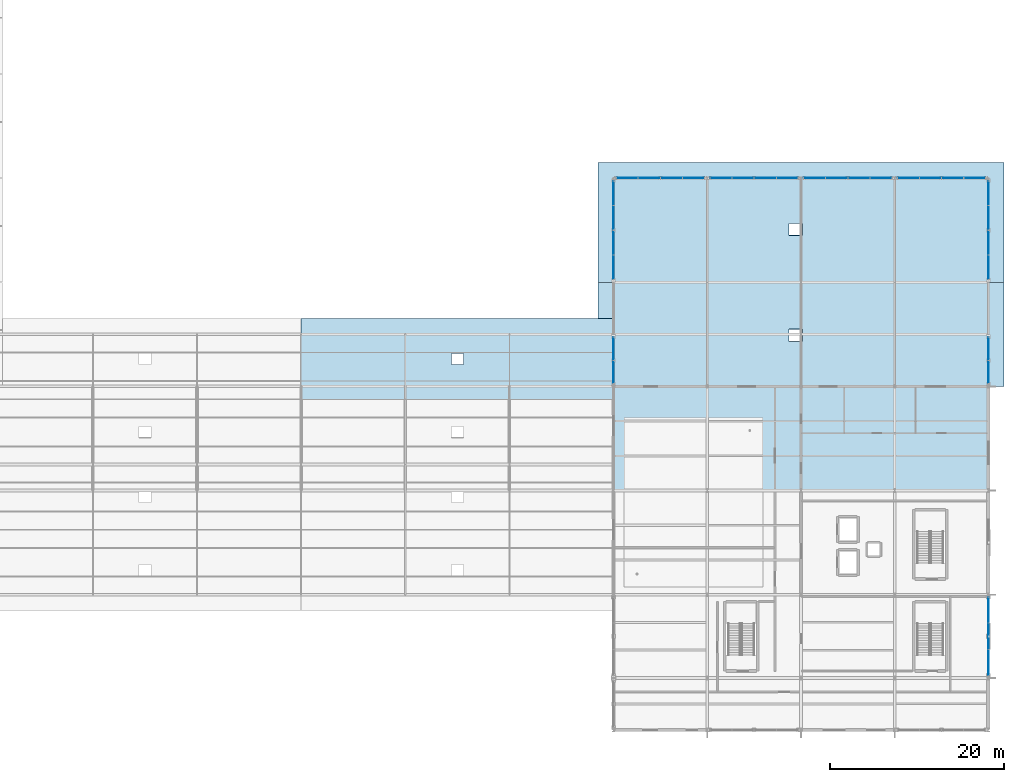
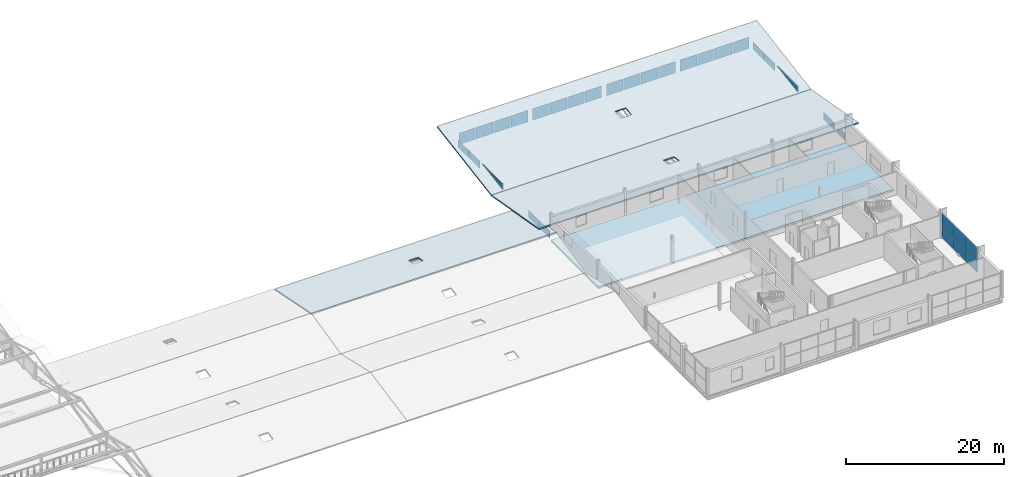
# One storey, part 96 of 117: 34 plates, 4 slabs, 9 elements without a shape of their own.
"""IFC4 building model written with IfcOpenShell, lengths in metres."""

from ifc_helpers import new_model, si_unit, direction, frame, origin, origin_2d, place, context, subcontext, project, spatial, polyline, rectangle, outline, extrude, material, layer, layer_set, type_object, element, aggregate, save


model = new_model("IFC4")

# Units and contexts
model_context = context("Model", 3, precision=1e-05, world=origin(), true_north=direction((0.0, 1.0)))
body_context = subcontext(model_context, "Body", "Model", "MODEL_VIEW")
ifc_project = project(units=[si_unit("LENGTHUNIT", "METRE"), si_unit("AREAUNIT", "SQUARE_METRE"), si_unit("VOLUMEUNIT", "CUBIC_METRE"), si_unit("PLANEANGLEUNIT", "RADIAN"), si_unit("MASSUNIT", "GRAM", prefix="KILO")], contexts=[model_context])

# Site, building, storey
site_placement = place(None, origin())
site = spatial("IfcSite", under=ifc_project, at=site_placement, CompositionType="ELEMENT")
building_placement = place(site_placement, origin())
building = spatial("IfcBuilding", under=site, at=building_placement, Name="Merenkruunu Market Hall", CompositionType="ELEMENT")
storey_placement = place(building_placement, frame((0.0, 0.0, 10.199951171875)))
storey = spatial("IfcBuildingStorey", under=building, at=storey_placement, Name="L02", CompositionType="ELEMENT", Elevation=10.199951171875)

# Curtain wall, plates
ifc_material_1 = material(Name="Powder-coated aluminium", Category="aluminium")
curtain_wall_type_1 = type_object("IfcCurtainWallType", Name="Glazed Curtain Wall CW07", PredefinedType="USERDEFINED", material=ifc_material_1)
curtain_wall_1_placement = place(storey_placement, origin())
curtain_wall_1 = element("IfcCurtainWall", 1, at=curtain_wall_1_placement, inside=storey, type_object=curtain_wall_type_1, Name="CW-L02-CWM03-217", ObjectType="GLAZED_FACADE", PredefinedType="USERDEFINED")
ifc_material_2 = material(Name="Powder-coated aluminium spandrel panel", Category="aluminium")
ifc_layer_1 = layer(ifc_material_2, 0.0419921875)
ifc_layer_set_1 = layer_set([ifc_layer_1], Name="Powder-coated aluminium spandrel panel")
plate_type_1 = type_object("IfcPlateType", Name="Curtain Wall Glazing Panel CWP06", PredefinedType="CURTAIN_PANEL", material=ifc_layer_set_1)
plate_1_placement = place(storey_placement, frame((192.0, 13.79833984375, 0.06005859375), z_axis=(0.0, 0.0, 1.0), x_axis=(0.0, -1.0, 0.0)))
plate_1 = element("IfcPlate", 2, at=plate_1_placement, type_object=plate_type_1, Name="CW07 panel 1.1", PredefinedType="CURTAIN_PANEL", context=body_context, shape_type="SweptSolid", body=[
    extrude(rectangle(XDim=2.92333984375, YDim=0.0419921875, at=origin_2d()), origin(), (0.0, 0.0, 1.0), 1.85009765625),
])
plate_2_placement = place(storey_placement, frame((192.0, 13.79833984375, 1.969970703125), z_axis=(0.0, 0.0, 1.0), x_axis=(0.0, -1.0, 0.0)))
plate_2 = element("IfcPlate", 3, at=plate_2_placement, type_object=plate_type_1, Name="CW07 panel 1.2", PredefinedType="CURTAIN_PANEL", context=body_context, shape_type="SweptSolid", body=[
    extrude(rectangle(XDim=2.92333984375, YDim=0.0419921875, at=origin_2d()), origin(), (0.0, 0.0, 1.0), 1.85009765625),
])
plate_3_placement = place(storey_placement, frame((192.0, 10.800048828125, 0.06005859375), z_axis=(0.0, 0.0, 1.0), x_axis=(0.0, -1.0, 0.0)))
plate_3 = element("IfcPlate", 4, at=plate_3_placement, type_object=plate_type_1, Name="CW07 panel 2.1", PredefinedType="CURTAIN_PANEL", context=body_context, shape_type="SweptSolid", body=[
    extrude(rectangle(XDim=2.953369140625, YDim=0.0419921875, at=origin_2d()), origin(), (0.0, 0.0, 1.0), 1.85009765625),
])
plate_4_placement = place(storey_placement, frame((192.0, 10.800048828125, 1.969970703125), z_axis=(0.0, 0.0, 1.0), x_axis=(0.0, -1.0, 0.0)))
plate_4 = element("IfcPlate", 5, at=plate_4_placement, type_object=plate_type_1, Name="CW07 panel 2.2", PredefinedType="CURTAIN_PANEL", context=body_context, shape_type="SweptSolid", body=[
    extrude(rectangle(XDim=2.953369140625, YDim=0.0419921875, at=origin_2d()), origin(), (0.0, 0.0, 1.0), 1.85009765625),
])
plate_5_placement = place(storey_placement, frame((192.0, 7.8017578125, 0.06005859375), z_axis=(0.0, 0.0, 1.0), x_axis=(0.0, -1.0, 0.0)))
plate_5 = element("IfcPlate", 6, at=plate_5_placement, type_object=plate_type_1, Name="CW07 panel 3.1", PredefinedType="CURTAIN_PANEL", context=body_context, shape_type="SweptSolid", body=[
    extrude(rectangle(XDim=2.92333984375, YDim=0.0419921875, at=origin_2d()), origin(), (0.0, 0.0, 1.0), 1.85009765625),
])
plate_6_placement = place(storey_placement, frame((192.0, 7.8017578125, 1.969970703125), z_axis=(0.0, 0.0, 1.0), x_axis=(0.0, -1.0, 0.0)))
plate_6 = element("IfcPlate", 7, at=plate_6_placement, type_object=plate_type_1, Name="CW07 panel 3.2", PredefinedType="CURTAIN_PANEL", context=body_context, shape_type="SweptSolid", body=[
    extrude(rectangle(XDim=2.92333984375, YDim=0.0419921875, at=origin_2d()), origin(), (0.0, 0.0, 1.0), 1.85009765625),
])
aggregate(curtain_wall_1, [plate_1, plate_2, plate_3, plate_4, plate_5, plate_6])

curtain_wall_type_2 = type_object("IfcCurtainWallType", Name="Clerestory Curtain Band CL01", PredefinedType="USERDEFINED", material=ifc_material_1)
curtain_wall_2_placement = place(storey_placement, origin())
curtain_wall_2 = element("IfcCurtainWall", 8, at=curtain_wall_2_placement, inside=storey, type_object=curtain_wall_type_2, Name="CW-L02-CWM04-228", ObjectType="CLERESTORY_BAND", PredefinedType="USERDEFINED")
ifc_material_3 = material(Name="Triple low-E insulated glass", Category="glass")
ifc_layer_2 = layer(ifc_material_3, 0.035888671875)
ifc_layer_set_2 = layer_set([ifc_layer_2], Name="Triple low-E insulated glass")
plate_type_2 = type_object("IfcPlateType", Name="Curtain Wall Glazing Panel CWP07", PredefinedType="CURTAIN_PANEL", material=ifc_layer_set_2)
plate_7_placement = place(storey_placement, frame((150.37744140625, 63.60009765625, 0.080078125), z_axis=(0.0, 0.0, 1.0), x_axis=(1.0, 0.0, 0.0)))
plate_7 = element("IfcPlate", 9, at=plate_7_placement, type_object=plate_type_2, Name="CL01 panel 1.1", PredefinedType="CURTAIN_PANEL", context=body_context, shape_type="SweptSolid", body=[
    extrude(rectangle(XDim=2.455078125, YDim=0.035888671875, at=origin_2d()), origin(), (0.0, 0.0, 1.0), 1.780029296875),
])
plate_8_placement = place(storey_placement, frame((152.919921875, 63.60009765625, 0.080078125), z_axis=(0.0, 0.0, 1.0), x_axis=(1.0, 0.0, 0.0)))
plate_8 = element("IfcPlate", 10, at=plate_8_placement, type_object=plate_type_2, Name="CL01 panel 2.1", PredefinedType="CURTAIN_PANEL", context=body_context, shape_type="SweptSolid", body=[
    extrude(rectangle(XDim=2.489990234375, YDim=0.035888671875, at=origin_2d()), origin(), (0.0, 0.0, 1.0), 1.780029296875),
])
plate_9_placement = place(storey_placement, frame((155.47998046875, 63.60009765625, 0.080078125), z_axis=(0.0, 0.0, 1.0), x_axis=(1.0, 0.0, 0.0)))
plate_9 = element("IfcPlate", 11, at=plate_9_placement, type_object=plate_type_2, Name="CL01 panel 3.1", PredefinedType="CURTAIN_PANEL", context=body_context, shape_type="SweptSolid", body=[
    extrude(rectangle(XDim=2.489990234375, YDim=0.035888671875, at=origin_2d()), origin(), (0.0, 0.0, 1.0), 1.780029296875),
])
plate_10_placement = place(storey_placement, frame((158.0224609375, 63.60009765625, 0.080078125), z_axis=(0.0, 0.0, 1.0), x_axis=(1.0, 0.0, 0.0)))
plate_10 = element("IfcPlate", 12, at=plate_10_placement, type_object=plate_type_2, Name="CL01 panel 4.1", PredefinedType="CURTAIN_PANEL", context=body_context, shape_type="SweptSolid", body=[
    extrude(rectangle(XDim=2.455078125, YDim=0.035888671875, at=origin_2d()), origin(), (0.0, 0.0, 1.0), 1.780029296875),
])
aggregate(curtain_wall_2, [plate_7, plate_8, plate_9, plate_10])

curtain_wall_3_placement = place(storey_placement, origin())
curtain_wall_3 = element("IfcCurtainWall", 13, at=curtain_wall_3_placement, inside=storey, type_object=curtain_wall_type_2, Name="CW-L02-CWM04-229", ObjectType="CLERESTORY_BAND", PredefinedType="USERDEFINED")
plate_11_placement = place(storey_placement, frame((161.177490234375, 63.60009765625, 0.080078125), z_axis=(0.0, 0.0, 1.0), x_axis=(1.0, 0.0, 0.0)))
plate_11 = element("IfcPlate", 14, at=plate_11_placement, type_object=plate_type_2, Name="CL01 panel 1.1", PredefinedType="CURTAIN_PANEL", context=body_context, shape_type="SweptSolid", body=[
    extrude(rectangle(XDim=2.455078125, YDim=0.035888671875, at=origin_2d()), origin(), (0.0, 0.0, 1.0), 1.780029296875),
])
plate_12_placement = place(storey_placement, frame((163.719970703125, 63.60009765625, 0.080078125), z_axis=(0.0, 0.0, 1.0), x_axis=(1.0, 0.0, 0.0)))
plate_12 = element("IfcPlate", 15, at=plate_12_placement, type_object=plate_type_2, Name="CL01 panel 2.1", PredefinedType="CURTAIN_PANEL", context=body_context, shape_type="SweptSolid", body=[
    extrude(rectangle(XDim=2.489990234375, YDim=0.035888671875, at=origin_2d()), origin(), (0.0, 0.0, 1.0), 1.780029296875),
])
plate_13_placement = place(storey_placement, frame((166.280029296875, 63.60009765625, 0.080078125), z_axis=(0.0, 0.0, 1.0), x_axis=(1.0, 0.0, 0.0)))
plate_13 = element("IfcPlate", 16, at=plate_13_placement, type_object=plate_type_2, Name="CL01 panel 3.1", PredefinedType="CURTAIN_PANEL", context=body_context, shape_type="SweptSolid", body=[
    extrude(rectangle(XDim=2.489990234375, YDim=0.035888671875, at=origin_2d()), origin(), (0.0, 0.0, 1.0), 1.780029296875),
])
plate_14_placement = place(storey_placement, frame((168.822509765625, 63.60009765625, 0.080078125), z_axis=(0.0, 0.0, 1.0), x_axis=(1.0, 0.0, 0.0)))
plate_14 = element("IfcPlate", 17, at=plate_14_placement, type_object=plate_type_2, Name="CL01 panel 4.1", PredefinedType="CURTAIN_PANEL", context=body_context, shape_type="SweptSolid", body=[
    extrude(rectangle(XDim=2.455078125, YDim=0.035888671875, at=origin_2d()), origin(), (0.0, 0.0, 1.0), 1.780029296875),
])
aggregate(curtain_wall_3, [plate_11, plate_12, plate_13, plate_14])

curtain_wall_4_placement = place(storey_placement, origin())
curtain_wall_4 = element("IfcCurtainWall", 18, at=curtain_wall_4_placement, inside=storey, type_object=curtain_wall_type_2, Name="CW-L02-CWM04-230", ObjectType="CLERESTORY_BAND", PredefinedType="USERDEFINED")
plate_15_placement = place(storey_placement, frame((171.9775390625, 63.60009765625, 0.080078125), z_axis=(0.0, 0.0, 1.0), x_axis=(1.0, 0.0, 0.0)))
plate_15 = element("IfcPlate", 19, at=plate_15_placement, type_object=plate_type_2, Name="CL01 panel 1.1", PredefinedType="CURTAIN_PANEL", context=body_context, shape_type="SweptSolid", body=[
    extrude(rectangle(XDim=2.455078125, YDim=0.035888671875, at=origin_2d()), origin(), (0.0, 0.0, 1.0), 1.780029296875),
])
plate_16_placement = place(storey_placement, frame((174.52001953125, 63.60009765625, 0.080078125), z_axis=(0.0, 0.0, 1.0), x_axis=(1.0, 0.0, 0.0)))
plate_16 = element("IfcPlate", 20, at=plate_16_placement, type_object=plate_type_2, Name="CL01 panel 2.1", PredefinedType="CURTAIN_PANEL", context=body_context, shape_type="SweptSolid", body=[
    extrude(rectangle(XDim=2.489990234375, YDim=0.035888671875, at=origin_2d()), origin(), (0.0, 0.0, 1.0), 1.780029296875),
])
plate_17_placement = place(storey_placement, frame((177.080078125, 63.60009765625, 0.080078125), z_axis=(0.0, 0.0, 1.0), x_axis=(1.0, 0.0, 0.0)))
plate_17 = element("IfcPlate", 21, at=plate_17_placement, type_object=plate_type_2, Name="CL01 panel 3.1", PredefinedType="CURTAIN_PANEL", context=body_context, shape_type="SweptSolid", body=[
    extrude(rectangle(XDim=2.489990234375, YDim=0.035888671875, at=origin_2d()), origin(), (0.0, 0.0, 1.0), 1.780029296875),
])
plate_18_placement = place(storey_placement, frame((179.62255859375, 63.60009765625, 0.080078125), z_axis=(0.0, 0.0, 1.0), x_axis=(1.0, 0.0, 0.0)))
plate_18 = element("IfcPlate", 22, at=plate_18_placement, type_object=plate_type_2, Name="CL01 panel 4.1", PredefinedType="CURTAIN_PANEL", context=body_context, shape_type="SweptSolid", body=[
    extrude(rectangle(XDim=2.455078125, YDim=0.035888671875, at=origin_2d()), origin(), (0.0, 0.0, 1.0), 1.780029296875),
])
aggregate(curtain_wall_4, [plate_15, plate_16, plate_17, plate_18])

curtain_wall_5_placement = place(storey_placement, origin())
curtain_wall_5 = element("IfcCurtainWall", 23, at=curtain_wall_5_placement, inside=storey, type_object=curtain_wall_type_2, Name="CW-L02-CWM04-231", ObjectType="CLERESTORY_BAND", PredefinedType="USERDEFINED")
plate_19_placement = place(storey_placement, frame((182.777587890625, 63.60009765625, 0.080078125), z_axis=(0.0, 0.0, 1.0), x_axis=(1.0, 0.0, 0.0)))
plate_19 = element("IfcPlate", 24, at=plate_19_placement, type_object=plate_type_2, Name="CL01 panel 1.1", PredefinedType="CURTAIN_PANEL", context=body_context, shape_type="SweptSolid", body=[
    extrude(rectangle(XDim=2.455078125, YDim=0.035888671875, at=origin_2d()), origin(), (0.0, 0.0, 1.0), 1.780029296875),
])
plate_20_placement = place(storey_placement, frame((185.320068359375, 63.60009765625, 0.080078125), z_axis=(0.0, 0.0, 1.0), x_axis=(1.0, 0.0, 0.0)))
plate_20 = element("IfcPlate", 25, at=plate_20_placement, type_object=plate_type_2, Name="CL01 panel 2.1", PredefinedType="CURTAIN_PANEL", context=body_context, shape_type="SweptSolid", body=[
    extrude(rectangle(XDim=2.489990234375, YDim=0.035888671875, at=origin_2d()), origin(), (0.0, 0.0, 1.0), 1.780029296875),
])
plate_21_placement = place(storey_placement, frame((187.8798828125, 63.60009765625, 0.080078125), z_axis=(0.0, 0.0, 1.0), x_axis=(1.0, 0.0, 0.0)))
plate_21 = element("IfcPlate", 26, at=plate_21_placement, type_object=plate_type_2, Name="CL01 panel 3.1", PredefinedType="CURTAIN_PANEL", context=body_context, shape_type="SweptSolid", body=[
    extrude(rectangle(XDim=2.489990234375, YDim=0.035888671875, at=origin_2d()), origin(), (0.0, 0.0, 1.0), 1.780029296875),
])
plate_22_placement = place(storey_placement, frame((190.422607421875, 63.60009765625, 0.080078125), z_axis=(0.0, 0.0, 1.0), x_axis=(1.0, 0.0, 0.0)))
plate_22 = element("IfcPlate", 27, at=plate_22_placement, type_object=plate_type_2, Name="CL01 panel 4.1", PredefinedType="CURTAIN_PANEL", context=body_context, shape_type="SweptSolid", body=[
    extrude(rectangle(XDim=2.455078125, YDim=0.035888671875, at=origin_2d()), origin(), (0.0, 0.0, 1.0), 1.780029296875),
])
aggregate(curtain_wall_5, [plate_19, plate_20, plate_21, plate_22])

curtain_wall_type_3 = type_object("IfcCurtainWallType", Name="Clerestory Curtain Band CL03", PredefinedType="USERDEFINED", material=ifc_material_1)
curtain_wall_6_placement = place(storey_placement, origin())
curtain_wall_6 = element("IfcCurtainWall", 28, at=curtain_wall_6_placement, inside=storey, type_object=curtain_wall_type_3, Name="CW-L02-CWM04-232", ObjectType="CLERESTORY_BAND", PredefinedType="USERDEFINED")
ifc_layer_3 = layer(ifc_material_3, 0.035888671875)
ifc_layer_set_3 = layer_set([ifc_layer_3], Name="Triple low-E insulated glass")
plate_type_3 = type_object("IfcPlateType", Name="Curtain Wall Glazing Panel CWP08", PredefinedType="CURTAIN_PANEL", material=ifc_layer_set_3)
plate_23_placement = place(storey_placement, frame((148.800048828125, 41.257568359375, 0.080078125), z_axis=(0.0, 0.0, 1.0), x_axis=(0.0, 1.0, 0.0)))
plate_23 = element("IfcPlate", 29, at=plate_23_placement, type_object=plate_type_3, Name="CL03 panel 1.1", PredefinedType="CURTAIN_PANEL", context=body_context, shape_type="SweptSolid", body=[
    extrude(rectangle(XDim=2.614990234375, YDim=0.035888671875, at=origin_2d()), origin(), (0.0, 0.0, 1.0), 1.110107421875),
])
plate_24_placement = place(storey_placement, frame((148.800048828125, 43.9423828125, 0.080078125), z_axis=(0.0, 0.0, 1.0), x_axis=(0.0, 1.0, 0.0)))
plate_24 = element("IfcPlate", 30, at=plate_24_placement, type_object=plate_type_3, Name="CL03 panel 2.1", PredefinedType="CURTAIN_PANEL", context=body_context, shape_type="SweptSolid", body=[
    extrude(rectangle(XDim=2.614990234375, YDim=0.035888671875, at=origin_2d()), origin(), (0.0, 0.0, 1.0), 1.110107421875),
])
aggregate(curtain_wall_6, [plate_23, plate_24])

curtain_wall_7_placement = place(storey_placement, origin())
curtain_wall_7 = element("IfcCurtainWall", 31, at=curtain_wall_7_placement, inside=storey, type_object=curtain_wall_type_3, Name="CW-L02-CWM04-233", ObjectType="CLERESTORY_BAND", PredefinedType="USERDEFINED")
plate_25_placement = place(storey_placement, frame((192.0, 43.9423828125, 0.080078125), z_axis=(0.0, 0.0, 1.0), x_axis=(0.0, -1.0, 0.0)))
plate_25 = element("IfcPlate", 32, at=plate_25_placement, type_object=plate_type_3, Name="CL03 panel 1.1", PredefinedType="CURTAIN_PANEL", context=body_context, shape_type="SweptSolid", body=[
    extrude(rectangle(XDim=2.614990234375, YDim=0.035888671875, at=origin_2d()), origin(), (0.0, 0.0, 1.0), 1.110107421875),
])
plate_26_placement = place(storey_placement, frame((192.0, 41.257568359375, 0.080078125), z_axis=(0.0, 0.0, 1.0), x_axis=(0.0, -1.0, 0.0)))
plate_26 = element("IfcPlate", 33, at=plate_26_placement, type_object=plate_type_3, Name="CL03 panel 2.1", PredefinedType="CURTAIN_PANEL", context=body_context, shape_type="SweptSolid", body=[
    extrude(rectangle(XDim=2.614990234375, YDim=0.035888671875, at=origin_2d()), origin(), (0.0, 0.0, 1.0), 1.110107421875),
])
aggregate(curtain_wall_7, [plate_25, plate_26])

curtain_wall_8_placement = place(storey_placement, origin())
curtain_wall_8 = element("IfcCurtainWall", 34, at=curtain_wall_8_placement, inside=storey, type_object=curtain_wall_type_3, Name="CW-L02-CWM04-234", ObjectType="CLERESTORY_BAND", PredefinedType="USERDEFINED")
plate_27_placement = place(storey_placement, frame((148.800048828125, 53.327392578125, 0.080078125), z_axis=(0.0, 0.0, 1.0), x_axis=(0.0, 1.0, 0.0)))
plate_27 = element("IfcPlate", 35, at=plate_27_placement, type_object=plate_type_3, Name="CL03 panel 1.1", PredefinedType="CURTAIN_PANEL", context=body_context, shape_type="SweptSolid", body=[
    extrude(rectangle(XDim=2.7548828125, YDim=0.035888671875, at=origin_2d()), origin(), (0.0, 0.0, 1.0), 1.110107421875),
])
plate_28_placement = place(storey_placement, frame((148.800048828125, 56.169921875, 0.080078125), z_axis=(0.0, 0.0, 1.0), x_axis=(0.0, 1.0, 0.0)))
plate_28 = element("IfcPlate", 36, at=plate_28_placement, type_object=plate_type_3, Name="CL03 panel 2.1", PredefinedType="CURTAIN_PANEL", context=body_context, shape_type="SweptSolid", body=[
    extrude(rectangle(XDim=2.7900390625, YDim=0.035888671875, at=origin_2d()), origin(), (0.0, 0.0, 1.0), 1.110107421875),
])
plate_29_placement = place(storey_placement, frame((148.800048828125, 59.030029296875, 0.080078125), z_axis=(0.0, 0.0, 1.0), x_axis=(0.0, 1.0, 0.0)))
plate_29 = element("IfcPlate", 37, at=plate_29_placement, type_object=plate_type_3, Name="CL03 panel 3.1", PredefinedType="CURTAIN_PANEL", context=body_context, shape_type="SweptSolid", body=[
    extrude(rectangle(XDim=2.7900390625, YDim=0.035888671875, at=origin_2d()), origin(), (0.0, 0.0, 1.0), 1.110107421875),
])
plate_30_placement = place(storey_placement, frame((148.800048828125, 61.87255859375, 0.080078125), z_axis=(0.0, 0.0, 1.0), x_axis=(0.0, 1.0, 0.0)))
plate_30 = element("IfcPlate", 38, at=plate_30_placement, type_object=plate_type_3, Name="CL03 panel 4.1", PredefinedType="CURTAIN_PANEL", context=body_context, shape_type="SweptSolid", body=[
    extrude(rectangle(XDim=2.7548828125, YDim=0.035888671875, at=origin_2d()), origin(), (0.0, 0.0, 1.0), 1.110107421875),
])
aggregate(curtain_wall_8, [plate_27, plate_28, plate_29, plate_30])

curtain_wall_9_placement = place(storey_placement, origin())
curtain_wall_9 = element("IfcCurtainWall", 39, at=curtain_wall_9_placement, inside=storey, type_object=curtain_wall_type_3, Name="CW-L02-CWM04-235", ObjectType="CLERESTORY_BAND", PredefinedType="USERDEFINED")
plate_31_placement = place(storey_placement, frame((192.0, 61.87255859375, 0.080078125), z_axis=(0.0, 0.0, 1.0), x_axis=(0.0, -1.0, 0.0)))
plate_31 = element("IfcPlate", 40, at=plate_31_placement, type_object=plate_type_3, Name="CL03 panel 1.1", PredefinedType="CURTAIN_PANEL", context=body_context, shape_type="SweptSolid", body=[
    extrude(rectangle(XDim=2.7548828125, YDim=0.035888671875, at=origin_2d()), origin(), (0.0, 0.0, 1.0), 1.110107421875),
])
plate_32_placement = place(storey_placement, frame((192.0, 59.030029296875, 0.080078125), z_axis=(0.0, 0.0, 1.0), x_axis=(0.0, -1.0, 0.0)))
plate_32 = element("IfcPlate", 41, at=plate_32_placement, type_object=plate_type_3, Name="CL03 panel 2.1", PredefinedType="CURTAIN_PANEL", context=body_context, shape_type="SweptSolid", body=[
    extrude(rectangle(XDim=2.7900390625, YDim=0.035888671875, at=origin_2d()), origin(), (0.0, 0.0, 1.0), 1.110107421875),
])
plate_33_placement = place(storey_placement, frame((192.0, 56.169921875, 0.080078125), z_axis=(0.0, 0.0, 1.0), x_axis=(0.0, -1.0, 0.0)))
plate_33 = element("IfcPlate", 42, at=plate_33_placement, type_object=plate_type_3, Name="CL03 panel 3.1", PredefinedType="CURTAIN_PANEL", context=body_context, shape_type="SweptSolid", body=[
    extrude(rectangle(XDim=2.7900390625, YDim=0.035888671875, at=origin_2d()), origin(), (0.0, 0.0, 1.0), 1.110107421875),
])
plate_34_placement = place(storey_placement, frame((192.0, 53.327392578125, 0.080078125), z_axis=(0.0, 0.0, 1.0), x_axis=(0.0, -1.0, 0.0)))
plate_34 = element("IfcPlate", 43, at=plate_34_placement, type_object=plate_type_3, Name="CL03 panel 4.1", PredefinedType="CURTAIN_PANEL", context=body_context, shape_type="SweptSolid", body=[
    extrude(rectangle(XDim=2.7548828125, YDim=0.035888671875, at=origin_2d()), origin(), (0.0, 0.0, 1.0), 1.110107421875),
])
aggregate(curtain_wall_9, [plate_31, plate_32, plate_33, plate_34])

# Slabs
ifc_material_4 = material(Name="High-albedo white roof Steel S355ML", Category="steel")
ifc_layer_4 = layer(ifc_material_4, 0.179931640625)
ifc_layer_set_4 = layer_set([ifc_layer_4], Name="High-albedo white roof Steel S355ML")
slab_type_1 = type_object("IfcSlabType", Name="Sloped Or Flat Roof Deck RS02", PredefinedType="ROOF", material=ifc_layer_set_4)
slab_1_placement = place(storey_placement, frame((112.800048828125, 38.10009765625, 2.10009765625), z_axis=(0.0, 0.195115835209, 0.980780205169), x_axis=(1.0, 0.0, 0.0)))
element("IfcSlab", 44, at=slab_1_placement, inside=storey, type_object=slab_type_1, Name="SL-ROOF-V2-2-F2N", PredefinedType="ROOF", context=body_context, shape_type="SweptSolid", body=[
    extrude(outline(polyline([(0.0, 0.0), (36.0, 0.0), (36.0, 9.48204769885222), (0.0, 9.48204769885222), (0.0, 0.0)]), holes=[polyline([(17.300048828125, 4.0783655733470665), (18.699951171875, 4.0783655733470665), (18.699951171875, 5.403682125505155), (17.300048828125, 5.403682125505155), (17.300048828125, 4.0783655733470665)])]), origin(), (0.0, 0.0, -1.0), 0.179931640625),
])
slab_2_placement = place(storey_placement, frame((147.0, 39.60009765625, 2.400146484375), z_axis=(0.0, 0.17398191319, 0.984748848125), x_axis=(1.0, 0.0, 0.0)))
element("IfcSlab", 45, at=slab_2_placement, inside=storey, type_object=slab_type_1, Name="SL-ROOF-V3-NBFS", PredefinedType="ROOF", context=body_context, shape_type="SweptSolid", body=[
    extrude(outline(polyline([(0.0, 0.0), (46.800048828125, 0.0), (46.800048828125, 12.185848221963578), (0.0, 12.185848221963578), (0.0, 0.0)]), holes=[polyline([(22.0, 5.280483314340832), (23.60009765625, 5.280483314340832), (23.60009765625, 6.702063776549814), (22.0, 6.702063776549814), (22.0, 5.280483314340832)])]), origin(), (0.0, 0.0, -1.0), 0.179931640625),
])
slab_3_placement = place(storey_placement, frame((147.0, 51.60009765625, 0.280029296875), z_axis=(0.0, -0.164404647044, 0.986392980526), x_axis=(1.0, 0.0, 0.0)))
element("IfcSlab", 46, at=slab_3_placement, inside=storey, type_object=slab_type_1, Name="SL-ROOF-V3-NBFN", PredefinedType="ROOF", context=body_context, shape_type="SweptSolid", body=[
    extrude(outline(polyline([(0.0, 0.0), (46.800048828125, 0.0), (46.800048828125, 13.990169192147254), (0.0, 13.990169192147254), (0.0, 0.0)]), holes=[polyline([(22.0, 5.474373894597463), (23.60009765625, 5.474373894597463), (23.60009765625, 6.893599527631722), (22.0, 6.893599527631722), (22.0, 5.474373894597463)])]), origin(), (0.0, 0.0, -1.0), 0.179931640625),
])
ifc_material_5 = material(Name="Concrete C35/45", Category="concrete")
ifc_layer_5 = layer(ifc_material_5, 0.31005859375)
ifc_layer_set_5 = layer_set([ifc_layer_5], Name="Concrete C35/45")
slab_type_2 = type_object("IfcSlabType", Name="Suspended Floor Slab FS04", PredefinedType="FLOOR", material=ifc_layer_set_5)
slab_4_placement = place(storey_placement, frame((0.0, 0.0, -0.31005859375)))
element("IfcSlab", 47, at=slab_4_placement, inside=storey, type_object=slab_type_2, Name="SL-L02-V3N", PredefinedType="FLOOR", context=body_context, shape_type="SweptSolid", body=[
    extrude(outline(polyline([(148.800048828125, 27.60009765625), (192.0, 27.60009765625), (192.0, 39.60009765625), (148.800048828125, 39.60009765625), (148.800048828125, 27.60009765625)])), origin(), (0.0, 0.0, 1.0), 0.31005859375),
])

save(model, "model.ifc")
